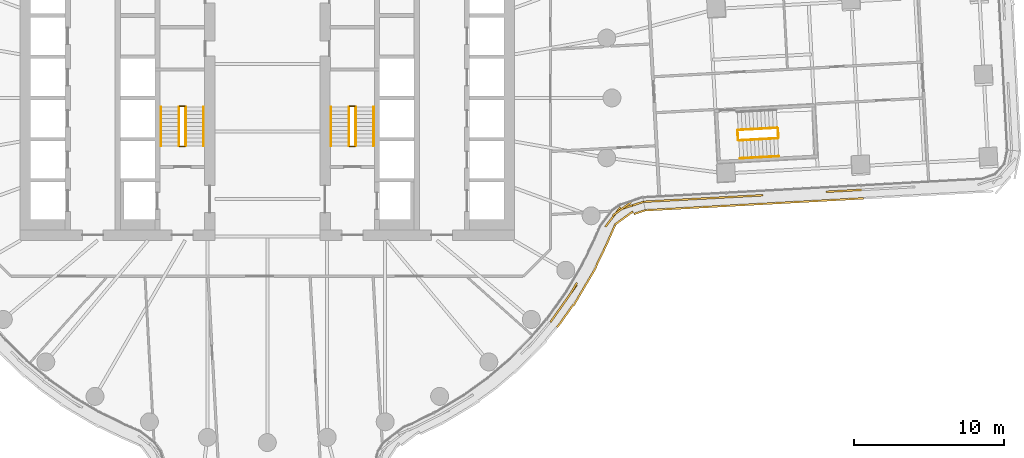
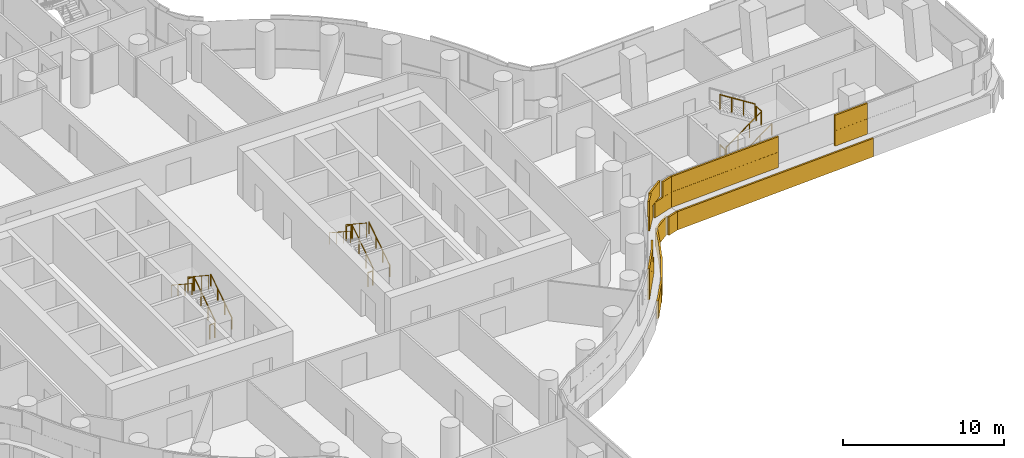
# One storey, part 28 of 31: 17 railings, 2 coverings.
"""IFC4 building model written with IfcOpenShell, lengths in metres."""

from ifc_helpers import new_model, si_unit, direction, frame, origin, origin_2d, place, context, subcontext, project, spatial, rectangle, circle, extrude, material, layer, layer_set, type_object, element, save


model = new_model("IFC4")

# Units and contexts
model_context = context("Model", 3, precision=1e-05, world=origin(), true_north=direction((0.0, 1.0)))
body_context = subcontext(model_context, "Body", "Model", "MODEL_VIEW")
ifc_project = project(units=[si_unit("LENGTHUNIT", "METRE"), si_unit("AREAUNIT", "SQUARE_METRE"), si_unit("VOLUMEUNIT", "CUBIC_METRE"), si_unit("PLANEANGLEUNIT", "RADIAN"), si_unit("MASSUNIT", "GRAM", prefix="KILO")], contexts=[model_context])

# Site, building, storey
site_placement = place(None, origin())
site = spatial("IfcSite", under=ifc_project, at=site_placement, CompositionType="ELEMENT")
building_placement = place(site_placement, origin())
building = spatial("IfcBuilding", under=site, at=building_placement, Name="Tamarind Cross Interchange Tower", CompositionType="ELEMENT")
storey_placement = place(building_placement, frame((0.0, 0.0, 45.25)))
storey = spatial("IfcBuildingStorey", under=building, at=storey_placement, Name="L09", CompositionType="ELEMENT", Elevation=45.25)

# Railings
ifc_material_1 = material(Name="Stair guard")
railing_type_1 = type_object("IfcRailingType", Name="Stair guard", PredefinedType="GUARDRAIL", material=ifc_material_1)
railing_1_placement = place(storey_placement, frame((-5.449951171875, -3.199951171875, 0.17041015625)))
element("IfcRailing", 1, at=railing_1_placement, inside=storey, type_object=railing_type_1, Name="L09 ST1 stair guard 1", PredefinedType="GUARDRAIL", context=body_context, shape_type="SweptSolid", body=[
    extrude(circle(Radius=0.02392578125, at=origin_2d()), frame((0.0, 0.0, 1.076171875), z_axis=(0.0, 0.836278606002, 0.548304744775), x_axis=(-1.0, 0.0, 0.0)), (0.0, 0.0, 1.0), 3.10888671875),
    extrude(circle(Radius=0.02099609375, at=origin_2d()), origin(), (0.0, 0.0, 1.0), 1.052001953125),
    extrude(circle(Radius=0.02099609375, at=origin_2d()), frame((0.0, 0.86669921875, 0.568115234375)), (0.0, 0.0, 1.0), 1.052001953125),
    extrude(circle(Radius=0.02099609375, at=origin_2d()), frame((0.0, 1.733154296875, 1.136474609375)), (0.0, 0.0, 1.0), 1.052001953125),
    extrude(circle(Radius=0.02099609375, at=origin_2d()), frame((0.0, 2.599853515625, 1.70458984375)), (0.0, 0.0, 1.0), 1.052001953125),
])
railing_2_placement = place(storey_placement, frame((-5.5, -0.550048828125, 1.875)))
element("IfcRailing", 2, at=railing_2_placement, inside=storey, type_object=railing_type_1, Name="L09 ST1 stair guard 2", PredefinedType="GUARDRAIL", context=body_context, shape_type="SweptSolid", body=[
    extrude(circle(Radius=0.02392578125, at=origin_2d()), frame((0.0, 0.0, 1.076171875), z_axis=(-1.0, 0.0, 0.0), x_axis=(0.0, -1.0, 0.0)), (0.0, 0.0, 1.0), 0.35009765625),
    extrude(circle(Radius=0.02099609375, at=origin_2d()), origin(), (0.0, 0.0, 1.0), 1.052001953125),
    extrude(circle(Radius=0.02099609375, at=origin_2d()), frame((-0.35009765625, 0.0, 0.0)), (0.0, 0.0, 1.0), 1.052001953125),
])
railing_3_placement = place(storey_placement, frame((-5.89990234375, -0.60009765625, 2.04541015625)))
element("IfcRailing", 3, at=railing_3_placement, inside=storey, type_object=railing_type_1, Name="L09 ST1 stair guard 3", PredefinedType="GUARDRAIL", context=body_context, shape_type="SweptSolid", body=[
    extrude(circle(Radius=0.02392578125, at=origin_2d()), frame((0.0, 0.0, 1.076171875), z_axis=(0.0, -0.836278606002, 0.548304744775), x_axis=(1.0, 0.0, 0.0)), (0.0, 0.0, 1.0), 3.10888671875),
    extrude(circle(Radius=0.02099609375, at=origin_2d()), origin(), (0.0, 0.0, 1.0), 1.052001953125),
    extrude(circle(Radius=0.02099609375, at=origin_2d()), frame((0.0, -0.86669921875, 0.568115234375)), (0.0, 0.0, 1.0), 1.052001953125),
    extrude(circle(Radius=0.02099609375, at=origin_2d()), frame((0.0, -1.733154296875, 1.136474609375)), (0.0, 0.0, 1.0), 1.052001953125),
    extrude(circle(Radius=0.02099609375, at=origin_2d()), frame((0.0, -2.599853515625, 1.70458984375)), (0.0, 0.0, 1.0), 1.052001953125),
])
railing_4_placement = place(storey_placement, frame((-5.5, -3.25, 0.0)))
element("IfcRailing", 4, at=railing_4_placement, inside=storey, type_object=railing_type_1, Name="L09 ST1 stair guard 4", PredefinedType="GUARDRAIL", context=body_context, shape_type="SweptSolid", body=[
    extrude(circle(Radius=0.02392578125, at=origin_2d()), frame((0.0, 0.0, 1.076171875), z_axis=(-1.0, 0.0, 0.0), x_axis=(0.0, -1.0, 0.0)), (0.0, 0.0, 1.0), 0.35009765625),
    extrude(circle(Radius=0.02099609375, at=origin_2d()), origin(), (0.0, 0.0, 1.0), 1.052001953125),
    extrude(circle(Radius=0.02099609375, at=origin_2d()), frame((-0.35009765625, 0.0, 0.0)), (0.0, 0.0, 1.0), 1.052001953125),
])
railing_5_placement = place(storey_placement, frame((5.89990234375, -3.199951171875, 0.17041015625)))
element("IfcRailing", 5, at=railing_5_placement, inside=storey, type_object=railing_type_1, Name="L09 ST2 stair guard 1", PredefinedType="GUARDRAIL", context=body_context, shape_type="SweptSolid", body=[
    extrude(circle(Radius=0.02392578125, at=origin_2d()), frame((0.0, 0.0, 1.076171875), z_axis=(0.0, 0.836278606002, 0.548304744775), x_axis=(-1.0, 0.0, 0.0)), (0.0, 0.0, 1.0), 3.10888671875),
    extrude(circle(Radius=0.02099609375, at=origin_2d()), origin(), (0.0, 0.0, 1.0), 1.052001953125),
    extrude(circle(Radius=0.02099609375, at=origin_2d()), frame((0.0, 0.86669921875, 0.568115234375)), (0.0, 0.0, 1.0), 1.052001953125),
    extrude(circle(Radius=0.02099609375, at=origin_2d()), frame((0.0, 1.733154296875, 1.136474609375)), (0.0, 0.0, 1.0), 1.052001953125),
    extrude(circle(Radius=0.02099609375, at=origin_2d()), frame((0.0, 2.599853515625, 1.70458984375)), (0.0, 0.0, 1.0), 1.052001953125),
])
railing_6_placement = place(storey_placement, frame((5.85009765625, -0.550048828125, 1.875)))
element("IfcRailing", 6, at=railing_6_placement, inside=storey, type_object=railing_type_1, Name="L09 ST2 stair guard 2", PredefinedType="GUARDRAIL", context=body_context, shape_type="SweptSolid", body=[
    extrude(circle(Radius=0.02392578125, at=origin_2d()), frame((0.0, 0.0, 1.076171875), z_axis=(-1.0, 0.0, 0.0), x_axis=(0.0, -1.0, 0.0)), (0.0, 0.0, 1.0), 0.35009765625),
    extrude(circle(Radius=0.02099609375, at=origin_2d()), origin(), (0.0, 0.0, 1.0), 1.052001953125),
    extrude(circle(Radius=0.02099609375, at=origin_2d()), frame((-0.35009765625, 0.0, 0.0)), (0.0, 0.0, 1.0), 1.052001953125),
])
railing_7_placement = place(storey_placement, frame((5.449951171875, -0.60009765625, 2.04541015625)))
element("IfcRailing", 7, at=railing_7_placement, inside=storey, type_object=railing_type_1, Name="L09 ST2 stair guard 3", PredefinedType="GUARDRAIL", context=body_context, shape_type="SweptSolid", body=[
    extrude(circle(Radius=0.02392578125, at=origin_2d()), frame((0.0, 0.0, 1.076171875), z_axis=(0.0, -0.836278606002, 0.548304744775), x_axis=(1.0, 0.0, 0.0)), (0.0, 0.0, 1.0), 3.10888671875),
    extrude(circle(Radius=0.02099609375, at=origin_2d()), origin(), (0.0, 0.0, 1.0), 1.052001953125),
    extrude(circle(Radius=0.02099609375, at=origin_2d()), frame((0.0, -0.86669921875, 0.568115234375)), (0.0, 0.0, 1.0), 1.052001953125),
    extrude(circle(Radius=0.02099609375, at=origin_2d()), frame((0.0, -1.733154296875, 1.136474609375)), (0.0, 0.0, 1.0), 1.052001953125),
    extrude(circle(Radius=0.02099609375, at=origin_2d()), frame((0.0, -2.599853515625, 1.70458984375)), (0.0, 0.0, 1.0), 1.052001953125),
])
railing_8_placement = place(storey_placement, frame((5.85009765625, -3.25, 0.0)))
element("IfcRailing", 8, at=railing_8_placement, inside=storey, type_object=railing_type_1, Name="L09 ST2 stair guard 4", PredefinedType="GUARDRAIL", context=body_context, shape_type="SweptSolid", body=[
    extrude(circle(Radius=0.02392578125, at=origin_2d()), frame((0.0, 0.0, 1.076171875), z_axis=(-1.0, 0.0, 0.0), x_axis=(0.0, -1.0, 0.0)), (0.0, 0.0, 1.0), 0.35009765625),
    extrude(circle(Radius=0.02099609375, at=origin_2d()), origin(), (0.0, 0.0, 1.0), 1.052001953125),
    extrude(circle(Radius=0.02099609375, at=origin_2d()), frame((-0.35009765625, 0.0, 0.0)), (0.0, 0.0, 1.0), 1.052001953125),
])
railing_9_placement = place(storey_placement, frame((31.46923828125, -2.83642578125, 0.17041015625)))
element("IfcRailing", 9, at=railing_9_placement, inside=storey, type_object=railing_type_1, Name="L09 ST3 stair guard 1", PredefinedType="GUARDRAIL", context=body_context, shape_type="SweptSolid", body=[
    extrude(circle(Radius=0.02392578125, at=origin_2d()), frame((0.0, 0.0, 1.076171875), z_axis=(0.83505048246, 0.045702405566, 0.548271813855), x_axis=(-0.054648325775, 0.998505663725, 0.0)), (0.0, 0.0, 1.0), 3.109130859375),
    extrude(circle(Radius=0.02099609375, at=origin_2d()), origin(), (0.0, 0.0, 1.0), 1.052001953125),
    extrude(circle(Radius=0.02099609375, at=origin_2d()), frame((0.865478515625, 0.04736328125, 0.568115234375)), (0.0, 0.0, 1.0), 1.052001953125),
    extrude(circle(Radius=0.02099609375, at=origin_2d()), frame((1.730712890625, 0.0947265625, 1.136474609375)), (0.0, 0.0, 1.0), 1.052001953125),
    extrude(circle(Radius=0.02099609375, at=origin_2d()), frame((2.59619140625, 0.14208984375, 1.70458984375)), (0.0, 0.0, 1.0), 1.052001953125),
])
railing_10_placement = place(storey_placement, frame((34.112548828125, -2.6416015625, 1.875)))
element("IfcRailing", 10, at=railing_10_placement, inside=storey, type_object=railing_type_1, Name="L09 ST3 stair guard 2", PredefinedType="GUARDRAIL", context=body_context, shape_type="SweptSolid", body=[
    extrude(circle(Radius=0.02392578125, at=origin_2d()), frame((0.0, 0.0, 1.076171875), z_axis=(-0.054523501764, 0.998512487531, 0.0), x_axis=(-0.998512487531, -0.054523501764, 0.0)), (0.0, 0.0, 1.0), 0.60009765625),
    extrude(circle(Radius=0.02099609375, at=origin_2d()), origin(), (0.0, 0.0, 1.0), 1.052001953125),
    extrude(circle(Radius=0.02099609375, at=origin_2d()), frame((-0.03271484375, 0.59912109375, 0.0)), (0.0, 0.0, 1.0), 1.052001953125),
])
railing_11_placement = place(storey_placement, frame((34.027099609375, -1.995361328125, 2.04541015625)))
element("IfcRailing", 11, at=railing_11_placement, inside=storey, type_object=railing_type_1, Name="L09 ST3 stair guard 3", PredefinedType="GUARDRAIL", context=body_context, shape_type="SweptSolid", body=[
    extrude(circle(Radius=0.02392578125, at=origin_2d()), frame((0.0, 0.0, 1.076171875), z_axis=(-0.83505048246, -0.045702405566, 0.548271813855), x_axis=(0.054648325775, -0.998505663725, 0.0)), (0.0, 0.0, 1.0), 3.109130859375),
    extrude(circle(Radius=0.02099609375, at=origin_2d()), origin(), (0.0, 0.0, 1.0), 1.052001953125),
    extrude(circle(Radius=0.02099609375, at=origin_2d()), frame((-0.865478515625, -0.04736328125, 0.568115234375)), (0.0, 0.0, 1.0), 1.052001953125),
    extrude(circle(Radius=0.02099609375, at=origin_2d()), frame((-1.730712890625, -0.0947265625, 1.136474609375)), (0.0, 0.0, 1.0), 1.052001953125),
    extrude(circle(Radius=0.02099609375, at=origin_2d()), frame((-2.59619140625, -0.14208984375, 1.70458984375)), (0.0, 0.0, 1.0), 1.052001953125),
])
railing_12_placement = place(storey_placement, frame((31.41650390625, -2.789306640625, 0.0)))
element("IfcRailing", 12, at=railing_12_placement, inside=storey, type_object=railing_type_1, Name="L09 ST3 stair guard 4", PredefinedType="GUARDRAIL", context=body_context, shape_type="SweptSolid", body=[
    extrude(circle(Radius=0.02392578125, at=origin_2d()), frame((0.0, 0.0, 1.076171875), z_axis=(-0.054523501764, 0.998512487531, 0.0), x_axis=(-0.998512487531, -0.054523501764, 0.0)), (0.0, 0.0, 1.0), 0.60009765625),
    extrude(circle(Radius=0.02099609375, at=origin_2d()), origin(), (0.0, 0.0, 1.0), 1.052001953125),
    extrude(circle(Radius=0.02099609375, at=origin_2d()), frame((-0.03271484375, 0.59912109375, 0.0)), (0.0, 0.0, 1.0), 1.052001953125),
])
ifc_material_2 = material(Name="Stair handrail")
railing_type_2 = type_object("IfcRailingType", Name="Stair handrail", PredefinedType="HANDRAIL", material=ifc_material_2)
railing_13_placement = place(storey_placement, frame((-4.25, -3.199951171875, 0.17041015625)))
element("IfcRailing", 13, at=railing_13_placement, inside=storey, type_object=railing_type_2, Name="L09 ST1 stair handrail 1", PredefinedType="HANDRAIL", context=body_context, shape_type="SweptSolid", body=[
    extrude(circle(Radius=0.02392578125, at=origin_2d()), frame((0.0, 0.0, 0.8759765625), z_axis=(0.0, 0.836278606002, 0.548304744775), x_axis=(-1.0, 0.0, 0.0)), (0.0, 0.0, 1.0), 3.10888671875),
    extrude(circle(Radius=0.02099609375, at=origin_2d()), origin(), (0.0, 0.0, 1.0), 0.851806640625),
    extrude(circle(Radius=0.02099609375, at=origin_2d()), frame((0.0, 0.86669921875, 0.568115234375)), (0.0, 0.0, 1.0), 0.851806640625),
    extrude(circle(Radius=0.02099609375, at=origin_2d()), frame((0.0, 1.733154296875, 1.136474609375)), (0.0, 0.0, 1.0), 0.851806640625),
    extrude(circle(Radius=0.02099609375, at=origin_2d()), frame((0.0, 2.599853515625, 1.70458984375)), (0.0, 0.0, 1.0), 0.851806640625),
])
railing_14_placement = place(storey_placement, frame((-7.10009765625, -0.60009765625, 2.04541015625)))
element("IfcRailing", 14, at=railing_14_placement, inside=storey, type_object=railing_type_2, Name="L09 ST1 stair handrail 2", PredefinedType="HANDRAIL", context=body_context, shape_type="SweptSolid", body=[
    extrude(circle(Radius=0.02392578125, at=origin_2d()), frame((0.0, 0.0, 0.8759765625), z_axis=(0.0, -0.836278606002, 0.548304744775), x_axis=(1.0, 0.0, 0.0)), (0.0, 0.0, 1.0), 3.10888671875),
    extrude(circle(Radius=0.02099609375, at=origin_2d()), origin(), (0.0, 0.0, 1.0), 0.851806640625),
    extrude(circle(Radius=0.02099609375, at=origin_2d()), frame((0.0, -0.86669921875, 0.568115234375)), (0.0, 0.0, 1.0), 0.851806640625),
    extrude(circle(Radius=0.02099609375, at=origin_2d()), frame((0.0, -1.733154296875, 1.136474609375)), (0.0, 0.0, 1.0), 0.851806640625),
    extrude(circle(Radius=0.02099609375, at=origin_2d()), frame((0.0, -2.599853515625, 1.70458984375)), (0.0, 0.0, 1.0), 0.851806640625),
])
railing_15_placement = place(storey_placement, frame((7.10009765625, -3.199951171875, 0.17041015625)))
element("IfcRailing", 15, at=railing_15_placement, inside=storey, type_object=railing_type_2, Name="L09 ST2 stair handrail 1", PredefinedType="HANDRAIL", context=body_context, shape_type="SweptSolid", body=[
    extrude(circle(Radius=0.02392578125, at=origin_2d()), frame((0.0, 0.0, 0.8759765625), z_axis=(0.0, 0.836278606002, 0.548304744775), x_axis=(-1.0, 0.0, 0.0)), (0.0, 0.0, 1.0), 3.10888671875),
    extrude(circle(Radius=0.02099609375, at=origin_2d()), origin(), (0.0, 0.0, 1.0), 0.851806640625),
    extrude(circle(Radius=0.02099609375, at=origin_2d()), frame((0.0, 0.86669921875, 0.568115234375)), (0.0, 0.0, 1.0), 0.851806640625),
    extrude(circle(Radius=0.02099609375, at=origin_2d()), frame((0.0, 1.733154296875, 1.136474609375)), (0.0, 0.0, 1.0), 0.851806640625),
    extrude(circle(Radius=0.02099609375, at=origin_2d()), frame((0.0, 2.599853515625, 1.70458984375)), (0.0, 0.0, 1.0), 0.851806640625),
])
railing_16_placement = place(storey_placement, frame((4.25, -0.60009765625, 2.04541015625)))
element("IfcRailing", 16, at=railing_16_placement, inside=storey, type_object=railing_type_2, Name="L09 ST2 stair handrail 2", PredefinedType="HANDRAIL", context=body_context, shape_type="SweptSolid", body=[
    extrude(circle(Radius=0.02392578125, at=origin_2d()), frame((0.0, 0.0, 0.8759765625), z_axis=(0.0, -0.836278606002, 0.548304744775), x_axis=(1.0, 0.0, 0.0)), (0.0, 0.0, 1.0), 3.10888671875),
    extrude(circle(Radius=0.02099609375, at=origin_2d()), origin(), (0.0, 0.0, 1.0), 0.851806640625),
    extrude(circle(Radius=0.02099609375, at=origin_2d()), frame((0.0, -0.86669921875, 0.568115234375)), (0.0, 0.0, 1.0), 0.851806640625),
    extrude(circle(Radius=0.02099609375, at=origin_2d()), frame((0.0, -1.733154296875, 1.136474609375)), (0.0, 0.0, 1.0), 0.851806640625),
    extrude(circle(Radius=0.02099609375, at=origin_2d()), frame((0.0, -2.599853515625, 1.70458984375)), (0.0, 0.0, 1.0), 0.851806640625),
])
railing_17_placement = place(storey_placement, frame((31.534912109375, -4.03466796875, 0.17041015625)))
element("IfcRailing", 17, at=railing_17_placement, inside=storey, type_object=railing_type_2, Name="L09 ST3 stair handrail 1", PredefinedType="HANDRAIL", context=body_context, shape_type="SweptSolid", body=[
    extrude(circle(Radius=0.02392578125, at=origin_2d()), frame((0.0, 0.0, 0.8759765625), z_axis=(0.83505048246, 0.045702405566, 0.548271813855), x_axis=(-0.054648325775, 0.998505663725, 0.0)), (0.0, 0.0, 1.0), 3.109130859375),
    extrude(circle(Radius=0.02099609375, at=origin_2d()), origin(), (0.0, 0.0, 1.0), 0.851806640625),
    extrude(circle(Radius=0.02099609375, at=origin_2d()), frame((0.865478515625, 0.04736328125, 0.568115234375)), (0.0, 0.0, 1.0), 0.851806640625),
    extrude(circle(Radius=0.02099609375, at=origin_2d()), frame((1.730712890625, 0.0947265625, 1.136474609375)), (0.0, 0.0, 1.0), 0.851806640625),
    extrude(circle(Radius=0.02099609375, at=origin_2d()), frame((2.59619140625, 0.14208984375, 1.70458984375)), (0.0, 0.0, 1.0), 0.851806640625),
])

# Coverings
ifc_material_3 = material(Name="Terracotta", Category="masonry")
ifc_layer = layer(ifc_material_3, 0.1201171875)
ifc_layer_set = layer_set([ifc_layer], Name="Terracotta")
covering_type = type_object("IfcCoveringType", Name="Terracotta baguette screen unit", PredefinedType="MOLDING", material=ifc_layer_set)
covering_1_placement = place(storey_placement, origin())
element("IfcCovering", 18, at=covering_1_placement, inside=storey, type_object=covering_type, Name="SCR-L09-06-01", PredefinedType="MOLDING", context=body_context, shape_type="SweptSolid", body=[
    extrude(rectangle(XDim=1.52001953125, YDim=0.1201171875, at=origin_2d()), frame((19.330810546875, -14.34423828125, 1.404052734375), z_axis=(0.0, 0.0, 1.0), x_axis=(0.577568978284, 0.816341886298, 0.0)), (0.0, 0.0, 1.0), 1.1669921875),
    extrude(rectangle(XDim=1.52001953125, YDim=0.1201171875, at=origin_2d()), frame((20.197265625, -13.119873046875, 1.404052734375), z_axis=(0.0, 0.0, 1.0), x_axis=(0.577568978284, 0.816341886298, 0.0)), (0.0, 0.0, 1.0), 1.1669921875),
    extrude(rectangle(XDim=1.52001953125, YDim=0.1201171875, at=origin_2d()), frame((23.103515625, -7.893310546875, 1.404052734375), z_axis=(0.0, 0.0, 1.0), x_axis=(0.611571810912, 0.791188928194, 0.0)), (0.0, 0.0, 1.0), 1.1669921875),
    extrude(rectangle(XDim=1.52001953125, YDim=0.1201171875, at=origin_2d()), frame((24.3759765625, -7.17041015625, 1.404052734375), z_axis=(0.0, 0.0, 1.0), x_axis=(0.950944770181, 0.309360702199, 0.0)), (0.0, 0.0, 1.0), 1.1669921875),
    extrude(rectangle(XDim=0.037109375, YDim=0.1201171875, at=origin_2d()), frame((25.102294921875, -6.934326171875, 1.404052734375), z_axis=(0.0, 0.0, 1.0), x_axis=(0.950944770181, 0.309360702199, 0.0)), (0.0, 0.0, 1.0), 1.1669921875),
    extrude(rectangle(XDim=0.76318359375, YDim=0.1201171875, at=origin_2d()), frame((19.11328125, -14.65185546875, 2.5791015625), z_axis=(0.0, 0.0, 1.0), x_axis=(0.577568978284, 0.816341886298, 0.0)), (0.0, 0.0, 1.0), 1.1669921875),
    extrude(rectangle(XDim=1.52001953125, YDim=0.1201171875, at=origin_2d()), frame((19.76416015625, -13.732177734375, 2.5791015625), z_axis=(0.0, 0.0, 1.0), x_axis=(0.577568978284, 0.816341886298, 0.0)), (0.0, 0.0, 1.0), 1.1669921875),
    extrude(rectangle(XDim=0.922119140625, YDim=0.1201171875, at=origin_2d()), frame((20.431884765625, -12.72900390625, 2.5791015625), z_axis=(0.0, 0.0, 1.0), x_axis=(0.508183308752, 0.861248933065, 0.0)), (0.0, 0.0, 1.0), 1.1669921875),
    extrude(rectangle(XDim=0.89794921875, YDim=0.1201171875, at=origin_2d()), frame((22.83203125, -8.24462890625, 2.5791015625), z_axis=(0.0, 0.0, 1.0), x_axis=(0.611571810912, 0.791188928194, 0.0)), (0.0, 0.0, 1.0), 1.1669921875),
    extrude(rectangle(XDim=1.52001953125, YDim=0.1201171875, at=origin_2d()), frame((23.664306640625, -7.4052734375, 2.5791015625), z_axis=(0.0, 0.0, 1.0), x_axis=(0.809946398508, 0.586503905821, 0.0)), (0.0, 0.0, 1.0), 1.1669921875),
    extrude(rectangle(XDim=0.787109375, YDim=0.1201171875, at=origin_2d()), frame((24.74560546875, -7.05029296875, 2.5791015625), z_axis=(0.0, 0.0, 1.0), x_axis=(0.950944770181, 0.309360702199, 0.0)), (0.0, 0.0, 1.0), 1.1669921875),
    extrude(rectangle(XDim=0.34326171875, YDim=0.1201171875, at=origin_2d()), frame((19.436767578125, -15.1689453125, 0.00390625), z_axis=(0.0, 0.0, 1.0), x_axis=(0.643009266048, 0.765858396687, 0.0)), (0.0, 0.0, 1.0), 1.39208984375),
    extrude(rectangle(XDim=1.52001953125, YDim=0.1201171875, at=origin_2d()), frame((19.97216796875, -14.431640625, 0.00390625), z_axis=(0.0, 0.0, 1.0), x_axis=(0.577568978284, 0.816341886298, 0.0)), (0.0, 0.0, 1.0), 1.39208984375),
    extrude(rectangle(XDim=1.52001953125, YDim=0.1201171875, at=origin_2d()), frame((20.822265625, -13.196533203125, 0.00390625), z_axis=(0.0, 0.0, 1.0), x_axis=(0.508183308752, 0.861248933065, 0.0)), (0.0, 0.0, 1.0), 1.39208984375),
    extrude(rectangle(XDim=1.52001953125, YDim=0.1201171875, at=origin_2d()), frame((21.58447265625, -11.90478515625, 0.00390625), z_axis=(0.0, 0.0, 1.0), x_axis=(0.508183308752, 0.861248933065, 0.0)), (0.0, 0.0, 1.0), 1.39208984375),
    extrude(rectangle(XDim=1.52001953125, YDim=0.1201171875, at=origin_2d()), frame((22.259765625, -10.566162109375, 0.00390625), z_axis=(0.0, 0.0, 1.0), x_axis=(0.435326231914, 0.900272776334, 0.0)), (0.0, 0.0, 1.0), 1.39208984375),
    extrude(rectangle(XDim=1.52001953125, YDim=0.1201171875, at=origin_2d()), frame((22.8896484375, -9.205078125, 0.00390625), z_axis=(0.0, 0.0, 1.0), x_axis=(0.40134633769, 0.915926371071, 0.0)), (0.0, 0.0, 1.0), 1.39208984375),
    extrude(rectangle(XDim=1.52001953125, YDim=0.1201171875, at=origin_2d()), frame((23.789794921875, -8.023193359375, 0.00390625), z_axis=(0.0, 0.0, 1.0), x_axis=(0.809946398508, 0.586503905821, 0.0)), (0.0, 0.0, 1.0), 1.39208984375),
    extrude(rectangle(XDim=0.7919921875, YDim=0.1201171875, at=origin_2d()), frame((24.8447265625, -7.62158203125, 0.00390625), z_axis=(0.0, 0.0, 1.0), x_axis=(0.950944770181, 0.309360702199, 0.0)), (0.0, 0.0, 1.0), 1.39208984375),
])
covering_2_placement = place(storey_placement, origin())
element("IfcCovering", 19, at=covering_2_placement, inside=storey, type_object=covering_type, Name="SCR-L09-07-00", PredefinedType="MOLDING", context=body_context, shape_type="SweptSolid", body=[
    extrude(rectangle(XDim=0.760009765625, YDim=0.1201171875, at=origin_2d()), frame((25.489501953125, -6.909423828125, 1.404052734375), z_axis=(0.0, 0.0, 1.0), x_axis=(0.998504021801, 0.054678317891, 0.0)), (0.0, 0.0, 1.0), 1.1669921875),
    extrude(rectangle(XDim=1.52001953125, YDim=0.1201171875, at=origin_2d()), frame((26.61279296875, -6.847900390625, 1.404052734375), z_axis=(0.0, 0.0, 1.0), x_axis=(0.998504021801, 0.054678317891, 0.0)), (0.0, 0.0, 1.0), 1.1669921875),
    extrude(rectangle(XDim=1.52001953125, YDim=0.1201171875, at=origin_2d()), frame((28.110595703125, -6.76611328125, 1.404052734375), z_axis=(0.0, 0.0, 1.0), x_axis=(0.998504021801, 0.054678317891, 0.0)), (0.0, 0.0, 1.0), 1.1669921875),
    extrude(rectangle(XDim=1.52001953125, YDim=0.1201171875, at=origin_2d()), frame((29.6083984375, -6.68408203125, 1.404052734375), z_axis=(0.0, 0.0, 1.0), x_axis=(0.998504021801, 0.054678317891, 0.0)), (0.0, 0.0, 1.0), 1.1669921875),
    extrude(rectangle(XDim=1.52001953125, YDim=0.1201171875, at=origin_2d()), frame((31.106201171875, -6.60205078125, 1.404052734375), z_axis=(0.0, 0.0, 1.0), x_axis=(0.998504021801, 0.054678317891, 0.0)), (0.0, 0.0, 1.0), 1.1669921875),
    extrude(rectangle(XDim=1.240234375, YDim=0.1201171875, at=origin_2d()), frame((32.46923828125, -6.52734375, 1.404052734375), z_axis=(0.0, 0.0, 1.0), x_axis=(0.998504021801, 0.054678317891, 0.0)), (0.0, 0.0, 1.0), 1.1669921875),
    extrude(rectangle(XDim=0.579833984375, YDim=0.1201171875, at=origin_2d()), frame((37.5615234375, -6.24853515625, 1.404052734375), z_axis=(0.0, 0.0, 1.0), x_axis=(0.998504021801, 0.054678317891, 0.0)), (0.0, 0.0, 1.0), 1.1669921875),
    extrude(rectangle(XDim=1.52001953125, YDim=0.1201171875, at=origin_2d()), frame((38.594970703125, -6.19189453125, 1.404052734375), z_axis=(0.0, 0.0, 1.0), x_axis=(0.998504021801, 0.054678317891, 0.0)), (0.0, 0.0, 1.0), 1.1669921875),
    extrude(rectangle(XDim=0.34033203125, YDim=0.1201171875, at=origin_2d()), frame((39.5087890625, -6.141845703125, 1.404052734375), z_axis=(0.0, 0.0, 1.0), x_axis=(0.998504021801, 0.054678317891, 0.0)), (0.0, 0.0, 1.0), 1.1669921875),
    extrude(rectangle(XDim=1.510009765625, YDim=0.1201171875, at=origin_2d()), frame((25.864013671875, -6.888916015625, 2.5791015625), z_axis=(0.0, 0.0, 1.0), x_axis=(0.998504021801, 0.054678317891, 0.0)), (0.0, 0.0, 1.0), 1.1669921875),
    extrude(rectangle(XDim=1.52001953125, YDim=0.1201171875, at=origin_2d()), frame((27.36181640625, -6.80712890625, 2.5791015625), z_axis=(0.0, 0.0, 1.0), x_axis=(0.998504021801, 0.054678317891, 0.0)), (0.0, 0.0, 1.0), 1.1669921875),
    extrude(rectangle(XDim=1.52001953125, YDim=0.1201171875, at=origin_2d()), frame((28.859619140625, -6.72509765625, 2.5791015625), z_axis=(0.0, 0.0, 1.0), x_axis=(0.998504021801, 0.054678317891, 0.0)), (0.0, 0.0, 1.0), 1.1669921875),
    extrude(rectangle(XDim=1.52001953125, YDim=0.1201171875, at=origin_2d()), frame((30.357177734375, -6.64306640625, 2.5791015625), z_axis=(0.0, 0.0, 1.0), x_axis=(0.998504021801, 0.054678317891, 0.0)), (0.0, 0.0, 1.0), 1.1669921875),
    extrude(rectangle(XDim=1.52001953125, YDim=0.1201171875, at=origin_2d()), frame((31.85498046875, -6.56103515625, 2.5791015625), z_axis=(0.0, 0.0, 1.0), x_axis=(0.998504021801, 0.054678317891, 0.0)), (0.0, 0.0, 1.0), 1.1669921875),
    extrude(rectangle(XDim=0.490234375, YDim=0.1201171875, at=origin_2d()), frame((32.84375, -6.5068359375, 2.5791015625), z_axis=(0.0, 0.0, 1.0), x_axis=(0.998504021801, 0.054678317891, 0.0)), (0.0, 0.0, 1.0), 1.1669921875),
    extrude(rectangle(XDim=1.329833984375, YDim=0.1201171875, at=origin_2d()), frame((37.93603515625, -6.22802734375, 2.5791015625), z_axis=(0.0, 0.0, 1.0), x_axis=(0.998504021801, 0.054678317891, 0.0)), (0.0, 0.0, 1.0), 1.1669921875),
    extrude(rectangle(XDim=1.09033203125, YDim=0.1201171875, at=origin_2d()), frame((39.13427734375, -6.162353515625, 2.5791015625), z_axis=(0.0, 0.0, 1.0), x_axis=(0.998504021801, 0.054678317891, 0.0)), (0.0, 0.0, 1.0), 1.1669921875),
    extrude(rectangle(XDim=0.760009765625, YDim=0.1201171875, at=origin_2d()), frame((25.600830078125, -7.478271484375, 0.00390625), z_axis=(0.0, 0.0, 1.0), x_axis=(0.998504021801, 0.054678317891, 0.0)), (0.0, 0.0, 1.0), 1.39208984375),
    extrude(rectangle(XDim=1.52001953125, YDim=0.1201171875, at=origin_2d()), frame((26.71923828125, -7.4169921875, 0.00390625), z_axis=(0.0, 0.0, 1.0), x_axis=(0.998504021801, 0.054678317891, 0.0)), (0.0, 0.0, 1.0), 1.39208984375),
    extrude(rectangle(XDim=1.52001953125, YDim=0.1201171875, at=origin_2d()), frame((28.216796875, -7.3349609375, 0.00390625), z_axis=(0.0, 0.0, 1.0), x_axis=(0.998504021801, 0.054678317891, 0.0)), (0.0, 0.0, 1.0), 1.39208984375),
    extrude(rectangle(XDim=1.52001953125, YDim=0.1201171875, at=origin_2d()), frame((29.714599609375, -7.2529296875, 0.00390625), z_axis=(0.0, 0.0, 1.0), x_axis=(0.998504021801, 0.054678317891, 0.0)), (0.0, 0.0, 1.0), 1.39208984375),
    extrude(rectangle(XDim=1.52001953125, YDim=0.1201171875, at=origin_2d()), frame((31.21240234375, -7.1708984375, 0.00390625), z_axis=(0.0, 0.0, 1.0), x_axis=(0.998504021801, 0.054678317891, 0.0)), (0.0, 0.0, 1.0), 1.39208984375),
    extrude(rectangle(XDim=1.52001953125, YDim=0.1201171875, at=origin_2d()), frame((32.710205078125, -7.089111328125, 0.00390625), z_axis=(0.0, 0.0, 1.0), x_axis=(0.998504021801, 0.054678317891, 0.0)), (0.0, 0.0, 1.0), 1.39208984375),
    extrude(rectangle(XDim=1.52001953125, YDim=0.1201171875, at=origin_2d()), frame((34.2080078125, -7.007080078125, 0.00390625), z_axis=(0.0, 0.0, 1.0), x_axis=(0.998504021801, 0.054678317891, 0.0)), (0.0, 0.0, 1.0), 1.39208984375),
    extrude(rectangle(XDim=1.52001953125, YDim=0.1201171875, at=origin_2d()), frame((35.70556640625, -6.925048828125, 0.00390625), z_axis=(0.0, 0.0, 1.0), x_axis=(0.998504021801, 0.054678317891, 0.0)), (0.0, 0.0, 1.0), 1.39208984375),
    extrude(rectangle(XDim=1.52001953125, YDim=0.1201171875, at=origin_2d()), frame((37.203369140625, -6.843017578125, 0.00390625), z_axis=(0.0, 0.0, 1.0), x_axis=(0.998504021801, 0.054678317891, 0.0)), (0.0, 0.0, 1.0), 1.39208984375),
    extrude(rectangle(XDim=1.52001953125, YDim=0.1201171875, at=origin_2d()), frame((38.701171875, -6.760986328125, 0.00390625), z_axis=(0.0, 0.0, 1.0), x_axis=(0.998504021801, 0.054678317891, 0.0)), (0.0, 0.0, 1.0), 1.39208984375),
    extrude(rectangle(XDim=0.340576171875, YDim=0.1201171875, at=origin_2d()), frame((39.610107421875, -6.711181640625, 0.00390625), z_axis=(0.0, 0.0, 1.0), x_axis=(0.998504021801, 0.054678317891, 0.0)), (0.0, 0.0, 1.0), 1.39208984375),
])

save(model, "model.ifc")
